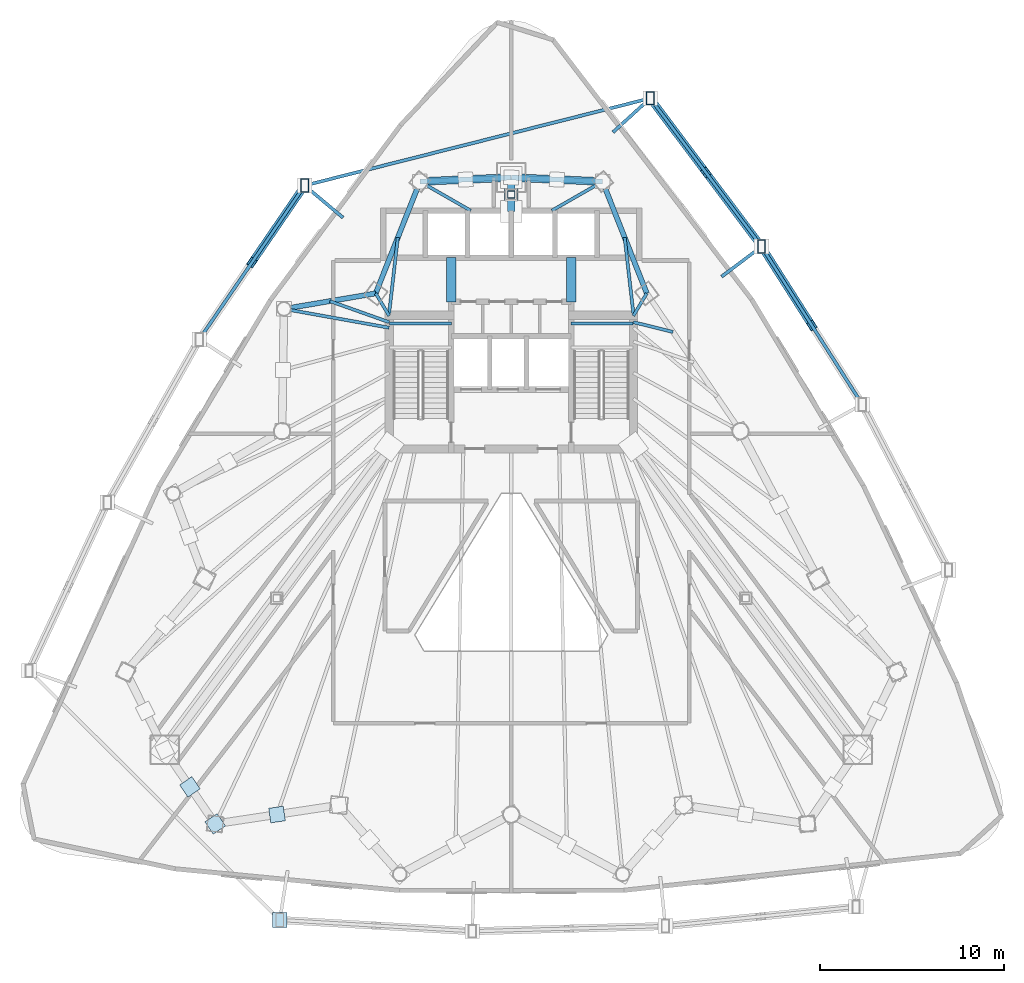
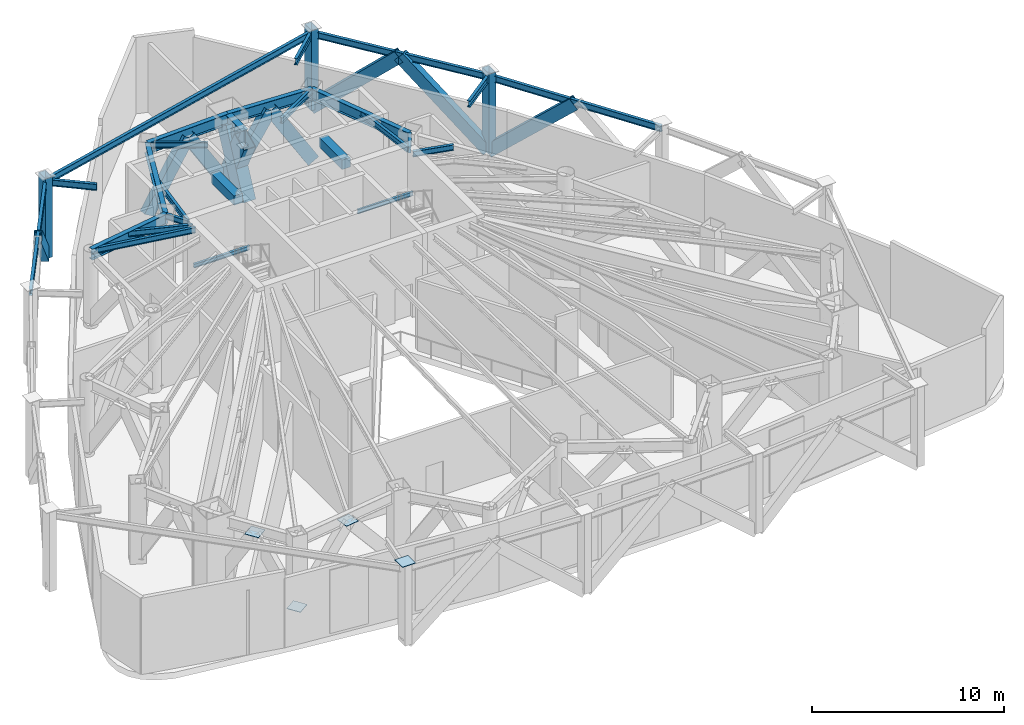
# One storey, part 4 of 10: 26 beams, 14 members, 4 plates.
"""IFC4 building model written with IfcOpenShell, lengths in metres."""

from ifc_helpers import new_model, si_unit, direction, frame, origin, origin_2d, place, context, subcontext, project, spatial, rectangle, hollow_rectangle, i_section, extrude, material, layer, layer_set, material_profile, profile_set, type_object, element, save


model = new_model("IFC4")

# Units and contexts
model_context = context("Model", 3, precision=1e-05, world=origin(), true_north=direction((0.0, 1.0)))
body_context = subcontext(model_context, "Body", "Model", "MODEL_VIEW")
ifc_project = project(units=[si_unit("LENGTHUNIT", "METRE"), si_unit("AREAUNIT", "SQUARE_METRE"), si_unit("VOLUMEUNIT", "CUBIC_METRE"), si_unit("PLANEANGLEUNIT", "RADIAN"), si_unit("MASSUNIT", "GRAM", prefix="KILO")], contexts=[model_context])

# Site, building, storey
site_placement = place(None, origin())
site = spatial("IfcSite", under=ifc_project, at=site_placement, CompositionType="ELEMENT")
building_placement = place(site_placement, origin())
building = spatial("IfcBuilding", under=site, at=building_placement, Name="Orvanel Arch Residences", CompositionType="ELEMENT")
storey_placement = place(building_placement, frame((0.0, 0.0, 101.60009765625)))
storey = spatial("IfcBuildingStorey", under=building, at=storey_placement, Name="L28", CompositionType="ELEMENT", Elevation=101.60009765625)

# Beams
ifc_material_1 = material(Name="Structural steel AS/NZS 3678 Grade 350", Category="steel")
ifc_material_profile_1 = material_profile(ifc_material_1, i_section(OverallWidth=0.39990234375, OverallDepth=1.02392578125, WebThickness=0.01611328125, FlangeThickness=0.031982421875, at=origin_2d()), Name="1000WB322")
ifc_profile_set_1 = profile_set([ifc_material_profile_1], Name="Structural steel AS/NZS 3678 Grade 350")
beam_type_1 = type_object("IfcBeamType", Name="BG-1000WB", PredefinedType="BEAM", material=ifc_profile_set_1)
beam_1_placement = place(storey_placement, frame((33.0, 39.550048828125, 4.347900390625), z_axis=(0.0, 1.0, 0.0), x_axis=(-1.0, 0.0, 0.0)))
element("IfcBeam", 1, at=beam_1_placement, inside=storey, type_object=beam_type_1, Name="L28 North Radial Girder", PredefinedType="BEAM", context=body_context, shape_type="SweptSolid", body=[
    extrude(i_section(OverallWidth=0.39990234375, OverallDepth=1.02392578125, WebThickness=0.01611328125, FlangeThickness=0.031982421875, at=origin_2d()), origin(), (0.0, 0.0, 1.0), 1.847900390625),
])
ifc_material_2 = material(Name="Structural steel AS/NZS 3679.1 Grade 300 (300 MPa)", Category="steel")
ifc_material_profile_2 = material_profile(ifc_material_2, i_section(OverallWidth=0.14599609375, OverallDepth=0.251953125, WebThickness=0.006103515625, FlangeThickness=0.008544921875, at=origin_2d()), Name="250UB31.4")
ifc_profile_set_2 = profile_set([ifc_material_profile_2], Name="Structural steel AS/NZS 3679.1 Grade 300 (300 MPa)")
beam_type_2 = type_object("IfcBeamType", Name="BJ-250UB", PredefinedType="JOIST", material=ifc_profile_set_2)
for number, where, z_axis, x_axis, name in (
    (2, (26.39990234375, 33.47998046875, 2.223876953125), (1.0, 0.0, 0.0), (0.0, 1.0, 0.0), "L28 ST-1 Half-Landing Support Beam 1.2"),
    (3, (36.25, 33.47998046875, 2.223876953125), (1.0, 0.0, 0.0), (0.0, 1.0, 0.0), "L28 ST-2 Half-Landing Support Beam 1.2"),
):
    element("IfcBeam", number, at=place(storey_placement, frame(where, z_axis=z_axis, x_axis=x_axis)), inside=storey, type_object=beam_type_2, Name=name, PredefinedType="JOIST", context=body_context, shape_type="SweptSolid", body=[
        extrude(i_section(OverallWidth=0.14599609375, OverallDepth=0.251953125, WebThickness=0.006103515625, FlangeThickness=0.008544921875, at=origin_2d()), origin(), (0.0, 0.0, 1.0), 3.35009765625),
    ])
ifc_material_profile_3 = material_profile(ifc_material_2, i_section(OverallWidth=0.1708984375, OverallDepth=0.35595703125, WebThickness=0.00732421875, FlangeThickness=0.011474609375, at=origin_2d()), Name="360UB50.7")
ifc_profile_set_3 = profile_set([ifc_material_profile_3], Name="Structural steel AS/NZS 3679.1 Grade 300 (300 MPa)")
beam_type_3 = type_object("IfcBeamType", Name="BJ-360UB", PredefinedType="JOIST", material=ifc_profile_set_3)
for number, where, z_axis, x_axis, name in (
    (4, (26.375, 33.89990234375, 4.681884765625), (-0.514064138778, 0.857751748015, 0.0), (-0.857751748015, -0.514064138778, 0.0), "L28 NNW Wing Floor Joist"),
    (5, (39.625, 33.89990234375, 4.681884765625), (0.514064138778, 0.857751748015, 0.0), (-0.857751748015, 0.514064138778, 0.0), "L28 NNE Wing Floor Joist"),
):
    element("IfcBeam", number, at=place(storey_placement, frame(where, z_axis=z_axis, x_axis=x_axis)), inside=storey, type_object=beam_type_3, Name=name, PredefinedType="JOIST", context=body_context, shape_type="SweptSolid", body=[
        extrude(i_section(OverallWidth=0.1708984375, OverallDepth=0.35595703125, WebThickness=0.00732421875, FlangeThickness=0.011474609375, at=origin_2d()), origin(), (0.0, 0.0, 1.0), 1.414306640625),
    ])
for number, where, z_axis, x_axis, name in (
    (6, (26.375, 34.02001953125, 4.681884765625), (0.114186670431, 0.993459311847, 0.0), (-0.993459311847, 0.114186670431, 0.0), "L28 NNW2 Wing Floor Joist"),
    (7, (39.625, 34.02001953125, 4.681884765625), (-0.114186670431, 0.993459311847, 0.0), (-0.993459311847, -0.114186670431, 0.0), "L28 NNE2 Wing Floor Joist"),
):
    element("IfcBeam", number, at=place(storey_placement, frame(where, z_axis=z_axis, x_axis=x_axis)), inside=storey, type_object=beam_type_3, Name=name, PredefinedType="JOIST", context=body_context, shape_type="SweptSolid", body=[
        extrude(i_section(OverallWidth=0.1708984375, OverallDepth=0.35595703125, WebThickness=0.00732421875, FlangeThickness=0.011474609375, at=origin_2d()), origin(), (0.0, 0.0, 1.0), 4.152099609375),
    ])
for number, where, z_axis, x_axis, name in (
    (8, (30.800048828125, 39.60009765625, 4.681884765625), (-0.86736513383, 0.497672306458, 0.0), (-0.497672306458, -0.86736513383, 0.0), "L28 MNW Wing Floor Joist"),
    (9, (35.199951171875, 39.60009765625, 4.681884765625), (0.86736513383, 0.497672306458, 0.0), (-0.497672306458, 0.86736513383, 0.0), "L28 MNE Wing Floor Joist"),
):
    element("IfcBeam", number, at=place(storey_placement, frame(where, z_axis=z_axis, x_axis=x_axis)), inside=storey, type_object=beam_type_3, Name=name, PredefinedType="JOIST", context=body_context, shape_type="SweptSolid", body=[
        extrude(i_section(OverallWidth=0.1708984375, OverallDepth=0.35595703125, WebThickness=0.00732421875, FlangeThickness=0.011474609375, at=origin_2d()), origin(), (0.0, 0.0, 1.0), 3.17041015625),
    ])
beam_2_placement = place(storey_placement, frame((26.375, 33.25, 4.681884765625), z_axis=(-0.984360855662, 0.176163860766, 0.0), x_axis=(-0.176163860766, -0.984360855662, 0.0)))
element("IfcBeam", 10, at=beam_2_placement, inside=storey, type_object=beam_type_3, Name="L28 LW Wing Floor Joist", PredefinedType="JOIST", context=body_context, shape_type="SweptSolid", body=[
    extrude(i_section(OverallWidth=0.1708984375, OverallDepth=0.35595703125, WebThickness=0.00732421875, FlangeThickness=0.011474609375, at=origin_2d()), origin(), (0.0, 0.0, 1.0), 5.795654296875),
])
beam_3_placement = place(storey_placement, frame((26.375, 33.550048828125, 4.681884765625), z_axis=(-0.942366638377, 0.334582006201, 0.0), x_axis=(-0.334582006201, -0.942366638377, 0.0)))
element("IfcBeam", 11, at=beam_3_placement, inside=storey, type_object=beam_type_3, Name="L28 JADD3 Wing Floor Joist", PredefinedType="JOIST", context=body_context, shape_type="SweptSolid", body=[
    extrude(i_section(OverallWidth=0.1708984375, OverallDepth=0.35595703125, WebThickness=0.00732421875, FlangeThickness=0.011474609375, at=origin_2d()), origin(), (0.0, 0.0, 1.0), 3.412841796875),
])
beam_4_placement = place(storey_placement, frame((39.625, 33.550048828125, 4.681884765625), z_axis=(0.971005818547, -0.239055851942, 0.0), x_axis=(0.239055851942, 0.971005818547, 0.0)))
element("IfcBeam", 12, at=beam_4_placement, inside=storey, type_object=beam_type_3, Name="L28 JADD4 Wing Floor Joist", PredefinedType="JOIST", context=body_context, shape_type="SweptSolid", body=[
    extrude(i_section(OverallWidth=0.1708984375, OverallDepth=0.35595703125, WebThickness=0.00732421875, FlangeThickness=0.011474609375, at=origin_2d()), origin(), (0.0, 0.0, 1.0), 2.213134765625),
])

# Members
ifc_material_profile_4 = material_profile(ifc_material_1, hollow_rectangle(XDim=0.419921875, YDim=0.719970703125, WallThickness=0.02490234375, at=origin_2d()), Name="RHS720x420x25")
ifc_profile_set_4 = profile_set([ifc_material_profile_4], Name="Structural steel AS/NZS 3678 Grade 350")
member_type_1 = type_object("IfcMemberType", Name="BR-720RHS", PredefinedType="BRACE", material=ifc_profile_set_4)
for number, where, z_axis, x_axis, name in (
    (13, (37.949951171875, 41.177978515625, 0.2998046875), (-0.525055023259, 0.023359950231, 0.850747633129), (-0.044446513387, -0.99901176542, 0.0), "L28 Belt-Truss Chevron 16.1"),
    (14, (33.0, 41.39794921875, 0.2998046875), (0.525093172988, -0.023307548614, 0.850725524396), (0.044343790555, 0.999016330317, 0.0), "L28 Belt-Truss Chevron 16.2"),
    (15, (33.0, 41.39794921875, 0.2998046875), (-0.525093172988, -0.023307548614, 0.850725524396), (0.044343790555, -0.999016330317, 0.0), "L28 Belt-Truss Chevron 17.1"),
    (16, (28.050048828125, 41.177978515625, 0.2998046875), (0.525055023259, 0.023359950231, 0.850747633129), (-0.044446513387, 0.99901176542, 0.0), "L28 Belt-Truss Chevron 17.2"),
):
    element("IfcMember", number, at=place(storey_placement, frame(where, z_axis=z_axis, x_axis=x_axis)), inside=storey, type_object=member_type_1, Name=name, PredefinedType="BRACE", context=body_context, shape_type="SweptSolid", body=[
        extrude(hollow_rectangle(XDim=0.419921875, YDim=0.719970703125, WallThickness=0.02490234375, at=origin_2d()), origin(), (0.0, 0.0, 1.0), 4.713623046875),
    ])
ifc_material_profile_5 = material_profile(ifc_material_1, hollow_rectangle(XDim=0.419921875, YDim=0.719970703125, WallThickness=0.02490234375, at=origin_2d()), Name="RHS720x420x25")
ifc_profile_set_5 = profile_set([ifc_material_profile_5], Name="Structural steel AS/NZS 3678 Grade 350")
member_type_2 = type_object("IfcMemberType", Name="BR-720RHS-EXT", PredefinedType="BRACE", material=ifc_profile_set_5)
member_1_placement = place(storey_placement, frame((21.79296875, 40.9619140625, 0.0), z_axis=(-0.415732148002, -0.607089643965, 0.677206722728), x_axis=(0.825082330608, -0.565012519966, 0.0)))
element("IfcMember", 17, at=member_1_placement, inside=storey, type_object=member_type_2, Name="L28 Exterior Sky-Garden V-Frame Chevron F1B1.1", PredefinedType="BRACE", context=body_context, shape_type="SweptSolid", body=[
    extrude(hollow_rectangle(XDim=0.419921875, YDim=0.719970703125, WallThickness=0.02490234375, at=origin_2d()), origin(), (0.0, 0.0, 1.0), 6.876708984375),
])
member_2_placement = place(storey_placement, frame((46.576904296875, 37.653076171875, 0.0), z_axis=(0.396243655924, -0.621367600306, 0.67593880672), x_axis=(0.843152267352, 0.537674859055, 0.0)))
element("IfcMember", 18, at=member_2_placement, inside=storey, type_object=member_type_2, Name="L28 Exterior Sky-Garden V-Frame Chevron F3B2.2", PredefinedType="BRACE", context=body_context, shape_type="SweptSolid", body=[
    extrude(hollow_rectangle(XDim=0.419921875, YDim=0.719970703125, WallThickness=0.02490234375, at=origin_2d()), origin(), (0.0, 0.0, 1.0), 6.8896484375),
])
member_3_placement = place(storey_placement, frame((46.576904296875, 37.653076171875, 0.0), z_axis=(-0.440740510341, 0.586632956628, 0.679418557843), x_axis=(-0.799498760182, -0.600667738827, 0.0)))
element("IfcMember", 19, at=member_3_placement, inside=storey, type_object=member_type_2, Name="L28 Exterior Sky-Garden V-Frame Chevron F3B3.1", PredefinedType="BRACE", context=body_context, shape_type="SweptSolid", body=[
    extrude(hollow_rectangle(XDim=0.419921875, YDim=0.719970703125, WallThickness=0.02490234375, at=origin_2d()), origin(), (0.0, 0.0, 1.0), 6.854248046875),
])
member_4_placement = place(storey_placement, frame((40.535888671875, 45.695068359375, 0.0), z_axis=(0.440625702147, -0.586669790976, 0.679461218146), x_axis=(0.799592008726, 0.600543603397, 0.0)))
element("IfcMember", 20, at=member_4_placement, inside=storey, type_object=member_type_2, Name="L28 Exterior Sky-Garden V-Frame Chevron F3B3.2", PredefinedType="BRACE", context=body_context, shape_type="SweptSolid", body=[
    extrude(hollow_rectangle(XDim=0.419921875, YDim=0.719970703125, WallThickness=0.02490234375, at=origin_2d()), origin(), (0.0, 0.0, 1.0), 6.85400390625),
])

# Beams
ifc_material_3 = material(Name="Concrete S65 (65 MPa)", Category="concrete")
ifc_material_profile_6 = material_profile(ifc_material_3, rectangle(XDim=0.5, YDim=0.60009765625, at=origin_2d()), Name="RC500x600")
ifc_profile_set_6 = profile_set([ifc_material_profile_6], Name="Concrete S65 (65 MPa)")
beam_type_4 = type_object("IfcBeamType", Name="CB-500x600", PredefinedType="LINTEL", material=ifc_profile_set_6)
for number, where, z_axis, x_axis, name in (
    (21, (29.75, 34.64990234375, 4.559814453125), (0.0, 1.0, 0.0), (-1.0, 0.0, 0.0), "L28 West Core Lobby Coupling Lintel Beam"),
    (22, (36.25, 34.64990234375, 4.559814453125), (0.0, 1.0, 0.0), (-1.0, 0.0, 0.0), "L28 East Core Lobby Coupling Lintel Beam"),
):
    element("IfcBeam", number, at=place(storey_placement, frame(where, z_axis=z_axis, x_axis=x_axis)), inside=storey, type_object=beam_type_4, Name=name, PredefinedType="LINTEL", context=body_context, shape_type="SweptSolid", body=[
        extrude(rectangle(XDim=0.5, YDim=0.60009765625, at=origin_2d()), origin(), (0.0, 0.0, 1.0), 2.400146484375),
    ])

# Members
ifc_material_profile_7 = material_profile(ifc_material_1, hollow_rectangle(XDim=0.419921875, YDim=0.719970703125, WallThickness=0.02490234375, at=origin_2d()), Name="RHS720x420x25")
ifc_profile_set_7 = profile_set([ifc_material_profile_7], Name="Structural steel AS/NZS 3678 Grade 350")
member_type_3 = type_object("IfcMemberType", Name="CH-720RHS-EXT", PredefinedType="CHORD", material=ifc_profile_set_7)
for number, where, z_axis, x_axis, name in (
    (23, (21.79296875, 40.9619140625, 0.0), (0.0, 0.0, 1.0), (1.0, 0.0, 0.0), "L28 Outer Perimeter Frame Post 01"),
    (24, (46.576904296875, 37.653076171875, 0.0), (0.0, 0.0, 1.0), (1.0, 0.0, 0.0), "L28 Outer Perimeter Frame Post 11"),
    (25, (40.535888671875, 45.695068359375, 0.0), (0.0, 0.0, 1.0), (1.0, 0.0, 0.0), "L28 Outer Perimeter Frame Post 12"),
):
    element("IfcMember", number, at=place(storey_placement, frame(where, z_axis=z_axis, x_axis=x_axis)), inside=storey, type_object=member_type_3, Name=name, PredefinedType="CHORD", context=body_context, shape_type="SweptSolid", body=[
        extrude(hollow_rectangle(XDim=0.419921875, YDim=0.719970703125, WallThickness=0.02490234375, at=origin_2d()), origin(), (0.0, 0.0, 1.0), 5.099853515625),
    ])

# Beams
ifc_material_profile_8 = material_profile(ifc_material_2, i_section(OverallWidth=0.177978515625, OverallDepth=0.406005859375, WebThickness=0.0078125, FlangeThickness=0.0126953125, at=origin_2d()), Name="410UB59.7")
ifc_profile_set_8 = profile_set([ifc_material_profile_8], Name="Structural steel AS/NZS 3679.1 Grade 300 (300 MPa)")
beam_type_5 = type_object("IfcBeamType", Name="OB-410UB-EXT", PredefinedType="SPANDREL", material=ifc_profile_set_8)
beam_5_placement = place(storey_placement, frame((23.876953125, 39.218017578125, 4.656982421875), z_axis=(-0.766908829703, 0.641756064968, 0.0), x_axis=(-0.641756064968, -0.766908829703, 0.0)))
element("IfcBeam", 26, at=beam_5_placement, inside=storey, type_object=beam_type_5, Name="L28 Outer Frame Radial Tie Beam 01", PredefinedType="SPANDREL", context=body_context, shape_type="SweptSolid", body=[
    extrude(i_section(OverallWidth=0.177978515625, OverallDepth=0.406005859375, WebThickness=0.0078125, FlangeThickness=0.0126953125, at=origin_2d()), origin(), (0.0, 0.0, 1.0), 2.71728515625),
])
beam_6_placement = place(storey_placement, frame((21.79296875, 40.9619140625, 4.656982421875), z_axis=(-0.565017696546, -0.825078785687, 0.0), x_axis=(0.825078785687, -0.565017696546, 0.0)))
element("IfcBeam", 27, at=beam_6_placement, inside=storey, type_object=beam_type_5, Name="L28 Outer Perimeter Floor Ring Beam 01", PredefinedType="SPANDREL", context=body_context, shape_type="SweptSolid", body=[
    extrude(i_section(OverallWidth=0.177978515625, OverallDepth=0.406005859375, WebThickness=0.0078125, FlangeThickness=0.0126953125, at=origin_2d()), origin(), (0.0, 0.0, 1.0), 10.1201171875),
])
beam_7_placement = place(storey_placement, frame((52.037109375, 29.091064453125, 4.656982421875), z_axis=(-0.537691950306, 0.843141368085, 0.0), x_axis=(-0.843141368085, -0.537691950306, 0.0)))
element("IfcBeam", 28, at=beam_7_placement, inside=storey, type_object=beam_type_5, Name="L28 Outer Perimeter Floor Ring Beam 10", PredefinedType="SPANDREL", context=body_context, shape_type="SweptSolid", body=[
    extrude(i_section(OverallWidth=0.177978515625, OverallDepth=0.406005859375, WebThickness=0.0078125, FlangeThickness=0.0126953125, at=origin_2d()), origin(), (0.0, 0.0, 1.0), 10.15478515625),
])
beam_8_placement = place(storey_placement, frame((44.409912109375, 36.02294921875, 4.656982421875), z_axis=(0.799134851046, 0.601151802662, 0.0), x_axis=(-0.601151802662, 0.799134851046, 0.0)))
element("IfcBeam", 29, at=beam_8_placement, inside=storey, type_object=beam_type_5, Name="L28 Outer Frame Radial Tie Beam 11", PredefinedType="SPANDREL", context=body_context, shape_type="SweptSolid", body=[
    extrude(i_section(OverallWidth=0.177978515625, OverallDepth=0.406005859375, WebThickness=0.0078125, FlangeThickness=0.0126953125, at=origin_2d()), origin(), (0.0, 0.0, 1.0), 2.711669921875),
])
beam_9_placement = place(storey_placement, frame((46.576904296875, 37.653076171875, 4.656982421875), z_axis=(-0.600605676541, 0.799545384144, 0.0), x_axis=(-0.799545384144, -0.600605676541, 0.0)))
element("IfcBeam", 30, at=beam_9_placement, inside=storey, type_object=beam_type_5, Name="L28 Outer Perimeter Floor Ring Beam 11", PredefinedType="SPANDREL", context=body_context, shape_type="SweptSolid", body=[
    extrude(i_section(OverallWidth=0.177978515625, OverallDepth=0.406005859375, WebThickness=0.0078125, FlangeThickness=0.0126953125, at=origin_2d()), origin(), (0.0, 0.0, 1.0), 10.05810546875),
])
beam_10_placement = place(storey_placement, frame((38.52294921875, 43.85693359375, 4.656982421875), z_axis=(0.738442834846, 0.674316082905, 0.0), x_axis=(-0.674316082905, 0.738442834846, 0.0)))
element("IfcBeam", 31, at=beam_10_placement, inside=storey, type_object=beam_type_5, Name="L28 Outer Frame Radial Tie Beam 12", PredefinedType="SPANDREL", context=body_context, shape_type="SweptSolid", body=[
    extrude(i_section(OverallWidth=0.177978515625, OverallDepth=0.406005859375, WebThickness=0.0078125, FlangeThickness=0.0126953125, at=origin_2d()), origin(), (0.0, 0.0, 1.0), 2.725830078125),
])
beam_11_placement = place(storey_placement, frame((40.535888671875, 45.695068359375, 4.656982421875), z_axis=(-0.969562520102, -0.24484386783, 0.0), x_axis=(0.24484386783, -0.969562520102, 0.0)))
element("IfcBeam", 32, at=beam_11_placement, inside=storey, type_object=beam_type_5, Name="L28 Outer Perimeter Floor Ring Beam 12", PredefinedType="SPANDREL", context=body_context, shape_type="SweptSolid", body=[
    extrude(i_section(OverallWidth=0.177978515625, OverallDepth=0.406005859375, WebThickness=0.0078125, FlangeThickness=0.0126953125, at=origin_2d()), origin(), (0.0, 0.0, 1.0), 19.331298828125),
])

# Members
ifc_material_profile_9 = material_profile(ifc_material_1, hollow_rectangle(XDim=0.719970703125, YDim=1.10009765625, WallThickness=0.035888671875, at=origin_2d()), Name="BOX1100x720x36")
ifc_profile_set_9 = profile_set([ifc_material_profile_9], Name="Structural steel AS/NZS 3678 Grade 350")
member_type_4 = type_object("IfcMemberType", Name="OR-1100BOX", PredefinedType="BRACE", material=ifc_profile_set_9)
for number, where, z_axis, x_axis, name in (
    (33, (33.0, 39.550048828125, 0.39990234375), (0.0, 0.436388083572, 0.899758545676), (-1.0, 0.0, 0.0), "L28 Core Outrigger Brace 1-1"),
    (34, (33.0, 39.550048828125, 4.2099609375), (0.0, 0.436388083572, -0.899758545676), (-1.0, 0.0, 0.0), "L28 Core Outrigger Brace 1-2"),
):
    element("IfcMember", number, at=place(storey_placement, frame(where, z_axis=z_axis, x_axis=x_axis)), inside=storey, type_object=member_type_4, Name=name, PredefinedType="BRACE", context=body_context, shape_type="SweptSolid", body=[
        extrude(hollow_rectangle(XDim=0.719970703125, YDim=1.10009765625, WallThickness=0.035888671875, at=origin_2d()), origin(), (0.0, 0.0, 1.0), 4.234619140625),
    ])

# Beams
ifc_material_profile_10 = material_profile(ifc_material_1, i_section(OverallWidth=0.27490234375, OverallDepth=0.699951171875, WebThickness=0.011962890625, FlangeThickness=0.02001953125, at=origin_2d()), Name="700WB150")
ifc_profile_set_10 = profile_set([ifc_material_profile_10], Name="Structural steel AS/NZS 3678 Grade 350")
beam_type_6 = type_object("IfcBeamType", Name="SP-700WB", PredefinedType="SPANDREL", material=ifc_profile_set_10)
beam_12_placement = place(storey_placement, frame((40.35205078125, 35.113037109375, 4.510009765625), z_axis=(-0.368233143579, 0.929733484376, 0.0), x_axis=(-0.929733484376, -0.368233143579, 0.0)))
element("IfcBeam", 35, at=beam_12_placement, inside=storey, type_object=beam_type_6, Name="L28 Perimeter Spandrel Beam 15", PredefinedType="SPANDREL", context=body_context, shape_type="SweptSolid", body=[
    extrude(i_section(OverallWidth=0.27490234375, OverallDepth=0.699951171875, WebThickness=0.011962890625, FlangeThickness=0.02001953125, at=origin_2d()), origin(), (0.0, 0.0, 1.0), 6.523193359375),
])
for number, where, z_axis, x_axis, name in (
    (36, (37.949951171875, 41.177978515625, 4.510009765625), (-0.999014049296, 0.044395149614, 0.0), (-0.044395149614, -0.999014049296, 0.0), "L28 Perimeter Spandrel Beam 16"),
    (37, (33.0, 41.39794921875, 4.510009765625), (-0.999014049296, -0.044395149614, 0.0), (0.044395149614, -0.999014049296, 0.0), "L28 Perimeter Spandrel Beam 17"),
):
    element("IfcBeam", number, at=place(storey_placement, frame(where, z_axis=z_axis, x_axis=x_axis)), inside=storey, type_object=beam_type_6, Name=name, PredefinedType="SPANDREL", context=body_context, shape_type="SweptSolid", body=[
        extrude(i_section(OverallWidth=0.27490234375, OverallDepth=0.699951171875, WebThickness=0.011962890625, FlangeThickness=0.02001953125, at=origin_2d()), origin(), (0.0, 0.0, 1.0), 4.954833984375),
    ])
beam_13_placement = place(storey_placement, frame((28.050048828125, 41.177978515625, 4.510009765625), z_axis=(-0.368233143579, -0.929733484376, 0.0), x_axis=(0.929733484376, -0.368233143579, 0.0)))
element("IfcBeam", 38, at=beam_13_placement, inside=storey, type_object=beam_type_6, Name="L28 Perimeter Spandrel Beam 18", PredefinedType="SPANDREL", context=body_context, shape_type="SweptSolid", body=[
    extrude(i_section(OverallWidth=0.27490234375, OverallDepth=0.699951171875, WebThickness=0.011962890625, FlangeThickness=0.02001953125, at=origin_2d()), origin(), (0.0, 0.0, 1.0), 6.523193359375),
])
beam_14_placement = place(storey_placement, frame((25.64794921875, 35.113037109375, 4.510009765625), z_axis=(-0.985993733897, -0.166782363326, 0.0), x_axis=(0.166782363326, -0.985993733897, 0.0)))
element("IfcBeam", 39, at=beam_14_placement, inside=storey, type_object=beam_type_6, Name="L28 Perimeter Spandrel Beam 19", PredefinedType="SPANDREL", context=body_context, shape_type="SweptSolid", body=[
    extrude(i_section(OverallWidth=0.27490234375, OverallDepth=0.699951171875, WebThickness=0.011962890625, FlangeThickness=0.02001953125, at=origin_2d()), origin(), (0.0, 0.0, 1.0), 5.048828125),
])

# Member
ifc_material_4 = material(Name="Structural steel AS/NZS 1163 C450L0 (Grade 450)", Category="steel")
ifc_material_profile_11 = material_profile(ifc_material_4, hollow_rectangle(XDim=0.39990234375, YDim=0.39990234375, WallThickness=0.01611328125, at=origin_2d()), Name="SHS400x400x16")
ifc_profile_set_11 = profile_set([ifc_material_profile_11], Name="Structural steel AS/NZS 1163 C450L0 (Grade 450)")
member_type_5 = type_object("IfcMemberType", Name="ST-400SHS", PredefinedType="STRUT", material=ifc_profile_set_11)
member_5_placement = place(storey_placement, frame((33.0, 40.47412109375, 0.0), z_axis=(0.0, 0.0, 1.0), x_axis=(1.0, 0.0, 0.0)))
element("IfcMember", 40, at=member_5_placement, inside=storey, type_object=member_type_5, Name="L28 Outrigger Vertical Web Strut 1", PredefinedType="STRUT", context=body_context, shape_type="SweptSolid", body=[
    extrude(hollow_rectangle(XDim=0.39990234375, YDim=0.39990234375, WallThickness=0.01611328125, at=origin_2d()), origin(), (0.0, 0.0, 1.0), 4.35986328125),
])

# Plates
ifc_layer_1 = layer(ifc_material_1, 0.028076171875)
ifc_layer_set_1 = layer_set([ifc_layer_1], Name="Structural steel AS/NZS 3678 Grade 350")
plate_type_1 = type_object("IfcPlateType", Name="PL-CAP-28", PredefinedType="SHEET", material=ifc_layer_set_1)
for number, where, z_axis, x_axis, name in (
    (41, (15.570068359375, 8.344970703125, 4.2958984375), (0.0, 0.0, 1.0), (-0.564967003425, 0.825113498278, 0.0), "L28 hollow member end cap plate"),
    (42, (16.94091796875, 6.339111328125, 0.28564453125), (0.0, 0.0, 1.0), (-0.564967003425, 0.825113498278, 0.0), "L28 hollow member end cap plate"),
    (43, (20.294921875, 6.846923828125, 4.2958984375), (0.0, 0.0, 1.0), (0.988756381047, 0.149535343444, 0.0), "L28 hollow member end cap plate"),
):
    element("IfcPlate", number, at=place(storey_placement, frame(where, z_axis=z_axis, x_axis=x_axis)), inside=storey, type_object=plate_type_1, Name=name, PredefinedType="SHEET", context=body_context, shape_type="SweptSolid", body=[
        extrude(rectangle(XDim=0.800048828125, YDim=0.800048828125, at=origin_2d()), origin(), (0.0, 0.0, 1.0), 0.028076171875),
    ])
ifc_layer_2 = layer(ifc_material_1, 0.031982421875)
ifc_layer_set_2 = layer_set([ifc_layer_2], Name="Structural steel AS/NZS 3678 Grade 350")
plate_type_2 = type_object("IfcPlateType", Name="PL-CAP-32", PredefinedType="SHEET", material=ifc_layer_set_2)
plate_placement = place(storey_placement, frame((20.447021484375, 1.1259765625, 5.083984375), z_axis=(0.0, 0.0, 1.0), x_axis=(1.0, 0.0, 0.0)))
element("IfcPlate", 44, at=plate_placement, inside=storey, type_object=plate_type_2, Name="L28 hollow member end cap plate", PredefinedType="SHEET", context=body_context, shape_type="SweptSolid", body=[
    extrude(rectangle(XDim=0.800048828125, YDim=0.800048828125, at=origin_2d()), origin(), (0.0, 0.0, 1.0), 0.031982421875),
])

save(model, "model.ifc")
